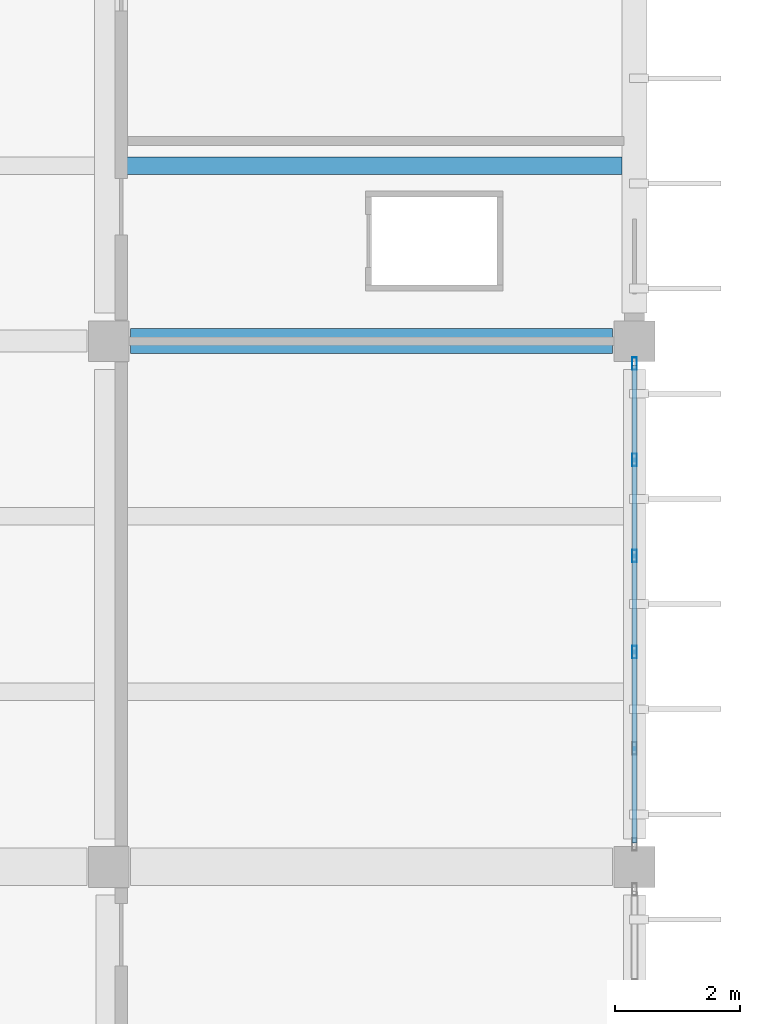
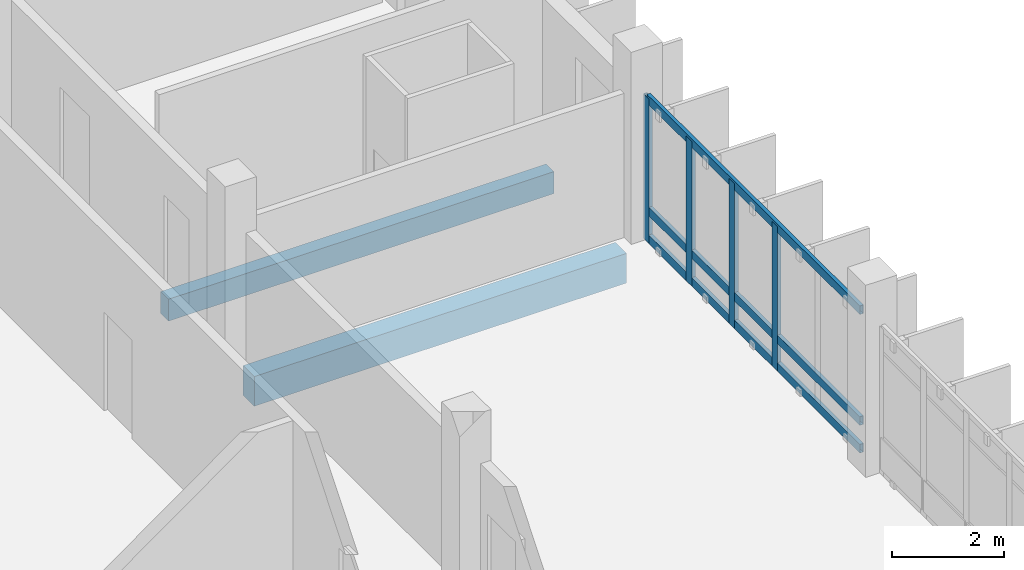
# One storey, part 55 of 101: 7 members, 2 beams, 1 element without a shape of its own.
"""IFC4 building model written with IfcOpenShell, lengths in metres."""

from ifc_helpers import new_model, si_unit, direction, frame, origin, origin_2d, place, context, subcontext, project, spatial, rectangle, hollow_rectangle, extrude, material, layer, layer_set, material_profile, profile_set, type_object, element, aggregate, save


model = new_model("IFC4")

# Units and contexts
model_context = context("Model", 3, precision=1e-05, world=origin(), true_north=direction((0.0, 1.0)))
body_context = subcontext(model_context, "Body", "Model", "MODEL_VIEW")
ifc_project = project(units=[si_unit("LENGTHUNIT", "METRE"), si_unit("AREAUNIT", "SQUARE_METRE"), si_unit("VOLUMEUNIT", "CUBIC_METRE"), si_unit("PLANEANGLEUNIT", "RADIAN"), si_unit("MASSUNIT", "GRAM", prefix="KILO")], contexts=[model_context])

# Site, building, storey
site_placement = place(None, origin())
site = spatial("IfcSite", under=ifc_project, at=site_placement, CompositionType="ELEMENT")
building_placement = place(site_placement, origin())
building = spatial("IfcBuilding", under=site, at=building_placement, Name="Vireocrest Preparatory School", CompositionType="ELEMENT")
storey_placement = place(building_placement, frame((0.0, 0.0, 4.800048828125)))
storey = spatial("IfcBuildingStorey", under=building, at=storey_placement, Name="L01", CompositionType="ELEMENT", Elevation=4.800048828125)

# Curtain wall, members
ifc_material_1 = material(Name="Thermally broken aluminium EN AW-6063-T6", Category="aluminium")
ifc_layer = layer(ifc_material_1, 0.179931640625)
ifc_layer_set = layer_set([ifc_layer], Name="Thermally broken aluminium EN AW-6063-T6")
curtain_wall_type = type_object("IfcCurtainWallType", Name="Teaching Fin Curtain Wall 8400x4200", PredefinedType="USERDEFINED", material=ifc_layer_set)
curtain_wall_placement = place(storey_placement, origin())
curtain_wall = element("IfcCurtainWall", 1, at=curtain_wall_placement, inside=storey, type_object=curtain_wall_type, Name="Curtain Wall CW03 CW_L01_CW03_1092_0609_048", ObjectType="CURTAIN WALL", PredefinedType="USERDEFINED")
ifc_material_profile_1 = material_profile(ifc_material_1, hollow_rectangle(XDim=0.074951171875, YDim=0.199951171875, WallThickness=0.0048828125, at=origin_2d()), Name="ALU 75x200x5")
ifc_profile_set_1 = profile_set([ifc_material_profile_1], Name="Thermally broken aluminium EN AW-6063-T6")
member_type_1 = type_object("IfcMemberType", Name="CW Mullion 75x200x5", PredefinedType="MULLION", material=ifc_profile_set_1)
member_1_placement = place(storey_placement, frame((109.199951171875, 64.031982421875, 0.0), z_axis=(0.0, 0.0, 1.0), x_axis=(1.0, 0.0, 0.0)))
member_1 = element("IfcMember", 2, at=member_1_placement, type_object=member_type_1, Name="CW Mullion ML3 CW_L01_CW03_1092_0609_048-3", PredefinedType="MULLION", context=body_context, shape_type="SweptSolid", body=[
    extrude(hollow_rectangle(XDim=0.074951171875, YDim=0.199951171875, WallThickness=0.0048828125, at=origin_2d()), origin(), (0.0, 0.0, 1.0), 3.1650390625),
])
member_2_placement = place(storey_placement, frame((109.199951171875, 65.568115234375, 0.0), z_axis=(0.0, 0.0, 1.0), x_axis=(1.0, 0.0, 0.0)))
member_2 = element("IfcMember", 3, at=member_2_placement, type_object=member_type_1, Name="CW Mullion ML3 CW_L01_CW03_1092_0609_048-4", PredefinedType="MULLION", context=body_context, shape_type="SweptSolid", body=[
    extrude(hollow_rectangle(XDim=0.074951171875, YDim=0.199951171875, WallThickness=0.0048828125, at=origin_2d()), origin(), (0.0, 0.0, 1.0), 3.1650390625),
])
member_3_placement = place(storey_placement, frame((109.199951171875, 67.10400390625, 0.0), z_axis=(0.0, 0.0, 1.0), x_axis=(1.0, 0.0, 0.0)))
member_3 = element("IfcMember", 4, at=member_3_placement, type_object=member_type_1, Name="CW Mullion ML3 CW_L01_CW03_1092_0609_048-5", PredefinedType="MULLION", context=body_context, shape_type="SweptSolid", body=[
    extrude(hollow_rectangle(XDim=0.074951171875, YDim=0.199951171875, WallThickness=0.0048828125, at=origin_2d()), origin(), (0.0, 0.0, 1.0), 3.1650390625),
])
member_4_placement = place(storey_placement, frame((109.199951171875, 68.639892578125, 0.0), z_axis=(0.0, 0.0, 1.0), x_axis=(1.0, 0.0, 0.0)))
member_4 = element("IfcMember", 5, at=member_4_placement, type_object=member_type_1, Name="CW Mullion ML3 CW_L01_CW03_1092_0609_048-6", PredefinedType="MULLION", context=body_context, shape_type="SweptSolid", body=[
    extrude(hollow_rectangle(XDim=0.074951171875, YDim=0.199951171875, WallThickness=0.0048828125, at=origin_2d()), origin(), (0.0, 0.0, 1.0), 3.1650390625),
])
ifc_material_profile_2 = material_profile(ifc_material_1, hollow_rectangle(XDim=0.074951171875, YDim=0.18994140625, WallThickness=0.00390625, at=origin_2d()), Name="ALU 75x190x4")
ifc_profile_set_2 = profile_set([ifc_material_profile_2], Name="Thermally broken aluminium EN AW-6063-T6")
member_type_2 = type_object("IfcMemberType", Name="CW Transom 75x190x4", PredefinedType="USERDEFINED", material=ifc_profile_set_2)
member_5_placement = place(storey_placement, frame((109.199951171875, 60.985107421875, 0.094970703125), z_axis=(0.0, 1.0, 0.0), x_axis=(-1.0, 0.0, 0.0)))
member_5 = element("IfcMember", 6, at=member_5_placement, type_object=member_type_2, Name="CW Transom TR3 CW_L01_CW03_1092_0609_048-1", ObjectType="TRANSOM", PredefinedType="USERDEFINED", context=body_context, shape_type="SweptSolid", body=[
    extrude(hollow_rectangle(XDim=0.074951171875, YDim=0.18994140625, WallThickness=0.00390625, at=origin_2d()), origin(), (0.0, 0.0, 1.0), 7.6298828125),
])
member_6_placement = place(storey_placement, frame((109.199951171875, 60.985107421875, 0.699951171875), z_axis=(0.0, 1.0, 0.0), x_axis=(-1.0, 0.0, 0.0)))
member_6 = element("IfcMember", 7, at=member_6_placement, type_object=member_type_2, Name="CW Transom TR3 CW_L01_CW03_1092_0609_048-2", ObjectType="TRANSOM", PredefinedType="USERDEFINED", context=body_context, shape_type="SweptSolid", body=[
    extrude(hollow_rectangle(XDim=0.074951171875, YDim=0.18994140625, WallThickness=0.00390625, at=origin_2d()), origin(), (0.0, 0.0, 1.0), 7.6298828125),
])
member_7_placement = place(storey_placement, frame((109.199951171875, 60.985107421875, 3.125), z_axis=(0.0, 1.0, 0.0), x_axis=(-1.0, 0.0, 0.0)))
member_7 = element("IfcMember", 8, at=member_7_placement, type_object=member_type_2, Name="CW Transom TR3 CW_L01_CW03_1092_0609_048-3", ObjectType="TRANSOM", PredefinedType="USERDEFINED", context=body_context, shape_type="SweptSolid", body=[
    extrude(hollow_rectangle(XDim=0.074951171875, YDim=0.18994140625, WallThickness=0.00390625, at=origin_2d()), origin(), (0.0, 0.0, 1.0), 7.6298828125),
])
aggregate(curtain_wall, [member_1, member_2, member_3, member_4, member_5, member_6, member_7])

# Beams
ifc_material_2 = material(Name="Concrete 40 MPa", Category="concrete")
ifc_material_profile_3 = material_profile(ifc_material_2, rectangle(XDim=0.39990234375, YDim=0.64990234375, at=origin_2d()), Name="RC 400x650")
ifc_profile_set_3 = profile_set([ifc_material_profile_3], Name="Concrete 40 MPa")
beam_type_1 = type_object("IfcBeamType", Name="RC Laboratory Girder 400x650", PredefinedType="BEAM", material=ifc_profile_set_3)
beam_1_placement = place(storey_placement, frame((101.14990234375, 69.0, -0.5849609375), z_axis=(1.0, 0.0, 0.0), x_axis=(0.0, 1.0, 0.0)))
element("IfcBeam", 9, at=beam_1_placement, inside=storey, type_object=beam_type_1, Name="Primary Girder B07 L01-0329", PredefinedType="BEAM", context=body_context, shape_type="SweptSolid", body=[
    extrude(rectangle(XDim=0.39990234375, YDim=0.64990234375, at=origin_2d()), origin(), (0.0, 0.0, 1.0), 7.7001953125),
])
ifc_material_profile_4 = material_profile(ifc_material_2, rectangle(XDim=0.280029296875, YDim=0.47998046875, at=origin_2d()), Name="RC 280x480")
ifc_profile_set_4 = profile_set([ifc_material_profile_4], Name="Concrete 40 MPa")
beam_type_2 = type_object("IfcBeamType", Name="RC Secondary Lab Joist 280x480", PredefinedType="JOIST", material=ifc_profile_set_4)
beam_2_placement = place(storey_placement, frame((101.02490234375, 71.800048828125, -0.5), z_axis=(1.0, 0.0, 0.0), x_axis=(0.0, 1.0, 0.0)))
element("IfcBeam", 10, at=beam_2_placement, inside=storey, type_object=beam_type_2, Name="Secondary Joist J02 L01-0619", PredefinedType="JOIST", context=body_context, shape_type="SweptSolid", body=[
    extrude(rectangle(XDim=0.280029296875, YDim=0.47998046875, at=origin_2d()), origin(), (0.0, 0.0, 1.0), 7.97509765625),
])

save(model, "model.ifc")
